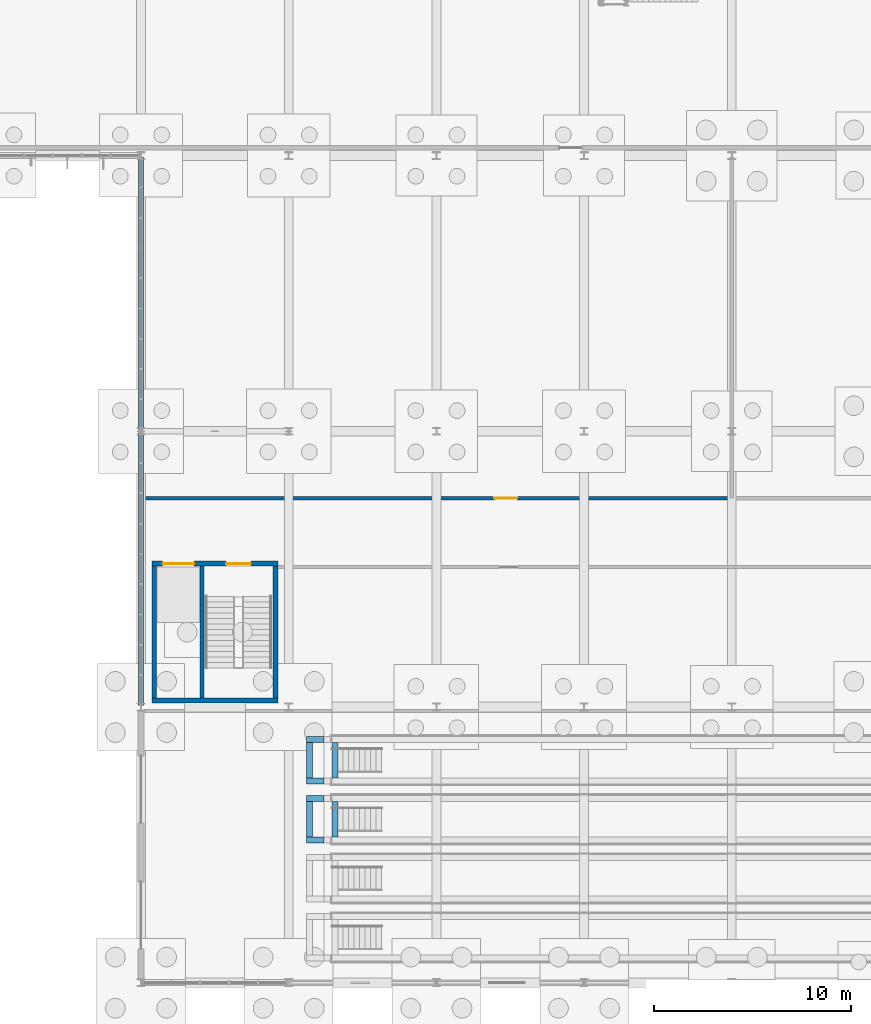
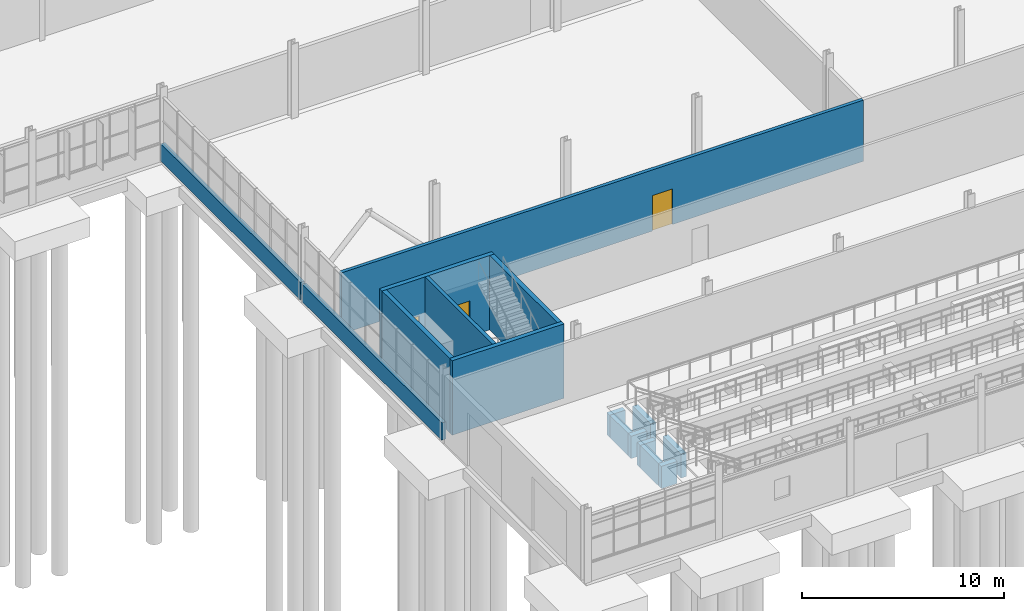
# One storey, part 109 of 136: 16 walls, 3 doors, 3 openings.
"""IFC4 building model written with IfcOpenShell, lengths in metres."""

from ifc_helpers import new_model, si_unit, direction, frame, frame_2d, origin, place, context, subcontext, project, spatial, rectangle, extrude, material, layer, layer_set, type_object, element, fill, save


model = new_model("IFC4")

# Units and contexts
model_context = context("Model", 3, precision=1e-05, world=origin(), true_north=direction((0.0, 1.0)))
body_context = subcontext(model_context, "Body", "Model", "MODEL_VIEW")
ifc_project = project(units=[si_unit("LENGTHUNIT", "METRE"), si_unit("AREAUNIT", "SQUARE_METRE"), si_unit("VOLUMEUNIT", "CUBIC_METRE"), si_unit("PLANEANGLEUNIT", "RADIAN"), si_unit("MASSUNIT", "GRAM", prefix="KILO")], contexts=[model_context])

# Site, building, storey
site_placement = place(None, origin())
site = spatial("IfcSite", under=ifc_project, at=site_placement, CompositionType="ELEMENT")
building_placement = place(site_placement, origin())
building = spatial("IfcBuilding", under=site, at=building_placement, Name="Solvenia Promenade Tram Depot", CompositionType="ELEMENT")
storey_placement = place(building_placement, origin())
storey = spatial("IfcBuildingStorey", under=building, at=storey_placement, Name="L00", CompositionType="ELEMENT", Elevation=0.0)

# Wall
ifc_material_1 = material(Name="Concrete C28/35", Category="concrete")
ifc_layer_1 = layer(ifc_material_1, 0.25, Name="Concrete C28/35", Category="concrete")
ifc_layer_set_1 = layer_set([ifc_layer_1], Name="Concrete C28/35")
wall_type_1 = type_object("IfcWallType", Name="Wall-Core-250", PredefinedType="SHEAR", material=ifc_layer_set_1)
wall_1_placement = place(storey_placement, frame((105.550048828125, 38.324951171875, 0.0), z_axis=(0.0, 0.0, 1.0), x_axis=(1.0, 0.0, 0.0)))
element("IfcWall", 1, at=wall_1_placement, inside=storey, type_object=wall_type_1, Name="Core C5 Shear Wall WC-C5-L00-S", PredefinedType="SHEAR", context=body_context, shape_type="SweptSolid", body=[
    extrude(rectangle(XDim=6.39990234375, YDim=0.25, at=frame_2d((3.199951171875, 0.0))), origin(), (0.0, 0.0, 1.0), 4.5),
])

# Wall, openings, doors
wall_2_placement = place(storey_placement, frame((105.550048828125, 45.27490234375, 0.0), z_axis=(0.0, 0.0, 1.0), x_axis=(1.0, 0.0, 0.0)))
wall_2 = element("IfcWall", 2, at=wall_2_placement, inside=storey, type_object=wall_type_1, Name="Core C5 Shear Wall WC-C5-L00-N", PredefinedType="SHEAR", context=body_context, shape_type="SweptSolid", body=[
    extrude(rectangle(XDim=6.39990234375, YDim=0.25, at=frame_2d((3.199951171875, 0.0))), origin(), (0.0, 0.0, 1.0), 4.5),
])
opening_1_placement = place(wall_2_placement, frame((0.550048828125, 0.0, 0.0)))
opening_1 = element("IfcOpeningElement", 3, at=opening_1_placement, cuts=wall_2, Name="Opening LD-05", PredefinedType="OPENING", context=body_context, shape_type="SweptSolid", body=[
    extrude(rectangle(XDim=1.60009765625, YDim=2.25, at=frame_2d((0.800048828125, 1.125))), frame((0.0, 0.135009765625, 0.0), z_axis=(0.0, -1.0, 0.0), x_axis=(1.0, 0.0, 0.0)), (0.0, 0.0, 1.0), 0.27001953125),
])
opening_2_placement = place(wall_2_placement, frame((3.77490234375, 0.0, 0.0)))
opening_2 = element("IfcOpeningElement", 4, at=opening_2_placement, cuts=wall_2, Name="Opening D-FD90", PredefinedType="OPENING", context=body_context, shape_type="SweptSolid", body=[
    extrude(rectangle(XDim=1.25, YDim=2.14990234375, at=frame_2d((0.625, 1.074951171875))), frame((0.0, 0.135009765625, 0.0), z_axis=(0.0, -1.0, 0.0), x_axis=(1.0, 0.0, 0.0)), (0.0, 0.0, 1.0), 0.27001953125),
])
ifc_material_2 = material(Name="Galvanized painted sheet steel", Category="steel")
door_type_1 = type_object("IfcDoorType", Name="Door-Lift-Goods-1600", OperationType="DOUBLE_DOOR_SLIDING", PredefinedType="DOOR", material=ifc_material_2)
door_1_placement = place(opening_1_placement, origin())
door_1 = element("IfcDoor", 5, at=door_1_placement, inside=storey, type_object=door_type_1, Name="Lift Landing Door LG-01 L00", OperationType="DOUBLE_DOOR_SLIDING", OverallHeight=2.25, OverallWidth=1.60009765625, PredefinedType="DOOR", context=body_context, shape_type="SweptSolid", body=[
    extrude(rectangle(XDim=1.60009765625, YDim=2.25, at=frame_2d((0.800048828125, 1.125))), frame((0.0, 0.02490234375, 0.0), z_axis=(0.0, -1.0, 0.0), x_axis=(1.0, 0.0, 0.0)), (0.0, 0.0, 1.0), 0.050048828125),
])
fill(opening_1, door_1)
door_type_2 = type_object("IfcDoorType", Name="Door-Stair-FD90", OperationType="NOTDEFINED", PredefinedType="DOOR", material=ifc_material_2)
door_2_placement = place(opening_2_placement, origin())
door_2 = element("IfcDoor", 6, at=door_2_placement, inside=storey, type_object=door_type_2, Name="Exit Stair Door C5 L00", OperationType="SINGLE_SWING_LEFT", OverallHeight=2.14990234375, OverallWidth=1.25, PredefinedType="DOOR", context=body_context, shape_type="SweptSolid", body=[
    extrude(rectangle(XDim=1.25, YDim=2.14990234375, at=frame_2d((0.625, 1.074951171875))), frame((0.0, 0.02490234375, 0.0), z_axis=(0.0, -1.0, 0.0), x_axis=(1.0, 0.0, 0.0)), (0.0, 0.0, 1.0), 0.050048828125),
])
fill(opening_2, door_2)

# Walls
for number, where, z_axis, x_axis, name in (
    (7, (105.675048828125, 38.449951171875, 0.0), (0.0, 0.0, 1.0), (0.0, 1.0, 0.0), "Core C5 Shear Wall WC-C5-L00-W"),
    (8, (111.824951171875, 38.449951171875, 0.0), (0.0, 0.0, 1.0), (0.0, 1.0, 0.0), "Core C5 Shear Wall WC-C5-L00-E"),
):
    element("IfcWall", number, at=place(storey_placement, frame(where, z_axis=z_axis, x_axis=x_axis)), inside=storey, type_object=wall_type_1, Name=name, PredefinedType="SHEAR", context=body_context, shape_type="SweptSolid", body=[
        extrude(rectangle(XDim=6.699951171875, YDim=0.25, at=frame_2d((3.35009765625, 0.0))), origin(), (0.0, 0.0, 1.0), 4.5),
    ])

# Wall, opening, door
ifc_material_3 = material(Name="Concrete blockwork masonry", Category="masonry")
ifc_layer_2 = layer(ifc_material_3, 0.195068359375, Name="Concrete blockwork masonry", Category="masonry")
ifc_layer_set_2 = layer_set([ifc_layer_2], Name="Concrete blockwork masonry")
wall_type_2 = type_object("IfcWallType", Name="Wall-Fire-195", PredefinedType="PARTITIONING", material=ifc_layer_set_2)
wall_3_placement = place(storey_placement, frame((105.159912109375, 48.60009765625, 0.0), z_axis=(0.0, 0.0, 1.0), x_axis=(1.0, 0.0, 0.0)))
wall_3 = element("IfcWall", 9, at=wall_3_placement, inside=storey, type_object=wall_type_2, Name="Paint and Body Workshop Partition WP-L00-014", PredefinedType="PARTITIONING", context=body_context, shape_type="SweptSolid", body=[
    extrude(rectangle(XDim=29.840087890625, YDim=0.195068359375, at=frame_2d((14.919921875, 0.0))), origin(), (0.0, 0.0, 1.0), 3.699951171875),
])
opening_3_placement = place(wall_3_placement, frame((17.7880859375, 0.0, 0.0)))
opening_3 = element("IfcOpeningElement", 10, at=opening_3_placement, cuts=wall_3, Name="Opening D-FD60", PredefinedType="OPENING", context=body_context, shape_type="SweptSolid", body=[
    extrude(rectangle(XDim=1.14990234375, YDim=2.14990234375, at=frame_2d((0.574951171875, 1.074951171875))), frame((0.0, 0.107421875, 0.0), z_axis=(0.0, -1.0, 0.0), x_axis=(1.0, 0.0, 0.0)), (0.0, 0.0, 1.0), 0.215087890625),
])
door_type_3 = type_object("IfcDoorType", Name="Door-Fire-FD60", OperationType="NOTDEFINED", PredefinedType="DOOR", material=ifc_material_2)
door_3_placement = place(opening_3_placement, origin())
door_3 = element("IfcDoor", 11, at=door_3_placement, inside=storey, type_object=door_type_3, Name="Door to Paint and Body Workshop", OperationType="SINGLE_SWING_LEFT", OverallHeight=2.14990234375, OverallWidth=1.14990234375, PredefinedType="DOOR", context=body_context, shape_type="SweptSolid", body=[
    extrude(rectangle(XDim=1.14990234375, YDim=2.14990234375, at=frame_2d((0.574951171875, 1.074951171875))), frame((0.0, 0.02490234375, 0.0), z_axis=(0.0, -1.0, 0.0), x_axis=(1.0, 0.0, 0.0)), (0.0, 0.0, 1.0), 0.050048828125),
])
fill(opening_3, door_3)

# Walls
ifc_material_4 = material(Name="Concrete C35/45", Category="concrete")
ifc_layer_3 = layer(ifc_material_4, 0.300048828125, Name="Concrete C35/45", Category="concrete")
ifc_layer_set_3 = layer_set([ifc_layer_3], Name="Concrete C35/45")
wall_type_3 = type_object("IfcWallType", Name="Wall-Pit-300", PredefinedType="USERDEFINED", material=ifc_layer_set_3)
for number, where, z_axis, x_axis, name in (
    (12, (113.39990234375, 31.25, -1.675048828125), (0.0, 0.0, 1.0), (1.0, 0.0, 0.0), "Inspection Pit Bay 3 Drain Cheek Wall S"),
    (13, (113.39990234375, 33.35009765625, -1.675048828125), (0.0, 0.0, 1.0), (1.0, 0.0, 0.0), "Inspection Pit Bay 3 Drain Cheek Wall N"),
):
    element("IfcWall", number, at=place(storey_placement, frame(where, z_axis=z_axis, x_axis=x_axis)), inside=storey, type_object=wall_type_3, Name=name, ObjectType="RETAINING WALL", PredefinedType="USERDEFINED", context=body_context, shape_type="SweptSolid", body=[
        extrude(rectangle(XDim=0.900146484375, YDim=0.300048828125, at=frame_2d((0.4501953125, 0.0))), origin(), (0.0, 0.0, 1.0), 1.344970703125),
    ])
wall_4_placement = place(storey_placement, frame((113.550048828125, 31.39990234375, -1.675048828125), z_axis=(0.0, 0.0, 1.0), x_axis=(0.0, 1.0, 0.0)))
element("IfcWall", 14, at=wall_4_placement, inside=storey, type_object=wall_type_3, Name="Inspection Pit Bay 3 Apron End Wall", ObjectType="RETAINING WALL", PredefinedType="USERDEFINED", context=body_context, shape_type="SweptSolid", body=[
    extrude(rectangle(XDim=1.800048828125, YDim=0.300048828125, at=frame_2d((0.89990234375, 0.0))), origin(), (0.0, 0.0, 1.0), 1.344970703125),
])
wall_5_placement = place(storey_placement, frame((114.85009765625, 31.39990234375, -1.675048828125), z_axis=(0.0, 0.0, 1.0), x_axis=(0.0, 1.0, 0.0)))
element("IfcWall", 15, at=wall_5_placement, inside=storey, type_object=wall_type_3, Name="Inspection Pit Bay 3 Retaining Wall W", ObjectType="RETAINING WALL", PredefinedType="USERDEFINED", context=body_context, shape_type="SweptSolid", body=[
    extrude(rectangle(XDim=1.800048828125, YDim=0.300048828125, at=frame_2d((0.89990234375, 0.0))), origin(), (0.0, 0.0, 1.0), 1.455078125),
])
for number, where, z_axis, x_axis, name in (
    (16, (113.39990234375, 34.25, -1.675048828125), (0.0, 0.0, 1.0), (1.0, 0.0, 0.0), "Inspection Pit Bay 4 Drain Cheek Wall S"),
    (17, (113.39990234375, 36.35009765625, -1.675048828125), (0.0, 0.0, 1.0), (1.0, 0.0, 0.0), "Inspection Pit Bay 4 Drain Cheek Wall N"),
):
    element("IfcWall", number, at=place(storey_placement, frame(where, z_axis=z_axis, x_axis=x_axis)), inside=storey, type_object=wall_type_3, Name=name, ObjectType="RETAINING WALL", PredefinedType="USERDEFINED", context=body_context, shape_type="SweptSolid", body=[
        extrude(rectangle(XDim=0.900146484375, YDim=0.300048828125, at=frame_2d((0.4501953125, 0.0))), origin(), (0.0, 0.0, 1.0), 1.344970703125),
    ])
wall_6_placement = place(storey_placement, frame((113.550048828125, 34.39990234375, -1.675048828125), z_axis=(0.0, 0.0, 1.0), x_axis=(0.0, 1.0, 0.0)))
element("IfcWall", 18, at=wall_6_placement, inside=storey, type_object=wall_type_3, Name="Inspection Pit Bay 4 Apron End Wall", ObjectType="RETAINING WALL", PredefinedType="USERDEFINED", context=body_context, shape_type="SweptSolid", body=[
    extrude(rectangle(XDim=1.800048828125, YDim=0.300048828125, at=frame_2d((0.89990234375, 0.0))), origin(), (0.0, 0.0, 1.0), 1.344970703125),
])
wall_7_placement = place(storey_placement, frame((114.85009765625, 34.39990234375, -1.675048828125), z_axis=(0.0, 0.0, 1.0), x_axis=(0.0, 1.0, 0.0)))
element("IfcWall", 19, at=wall_7_placement, inside=storey, type_object=wall_type_3, Name="Inspection Pit Bay 4 Retaining Wall W", ObjectType="RETAINING WALL", PredefinedType="USERDEFINED", context=body_context, shape_type="SweptSolid", body=[
    extrude(rectangle(XDim=1.800048828125, YDim=0.300048828125, at=frame_2d((0.89990234375, 0.0))), origin(), (0.0, 0.0, 1.0), 1.455078125),
])
ifc_layer_4 = layer(ifc_material_1, 0.199951171875, Name="Concrete C28/35", Category="concrete")
ifc_layer_set_4 = layer_set([ifc_layer_4], Name="Concrete C28/35")
wall_type_4 = type_object("IfcWallType", Name="Wall-Shaft-200", PredefinedType="SHEAR", material=ifc_layer_set_4)
wall_8_placement = place(storey_placement, frame((108.10009765625, 38.449951171875, 0.0), z_axis=(0.0, 0.0, 1.0), x_axis=(0.0, 1.0, 0.0)))
element("IfcWall", 20, at=wall_8_placement, inside=storey, type_object=wall_type_4, Name="Core C5 Shear Wall WC-C5-L00-DIV", PredefinedType="SHEAR", context=body_context, shape_type="SweptSolid", body=[
    extrude(rectangle(XDim=6.699951171875, YDim=0.199951171875, at=frame_2d((3.35009765625, 0.0))), origin(), (0.0, 0.0, 1.0), 4.5),
])
ifc_layer_5 = layer(ifc_material_4, 0.239990234375, Name="Concrete C35/45", Category="concrete")
ifc_layer_set_5 = layer_set([ifc_layer_5], Name="Concrete C35/45")
wall_type_5 = type_object("IfcWallType", Name="Wall-Spandrel-240", PredefinedType="SOLIDWALL", material=ifc_layer_set_5)
for number, where, z_axis, x_axis, name in (
    (21, (105.0, 38.080078125, 0.0), (0.0, 0.0, 1.0), (0.0, 1.0, 0.0), "Workshop Courtyard Sill Wall EW-L00-065"),
    (22, (105.0, 52.080078125, 0.0), (0.0, 0.0, 1.0), (0.0, 1.0, 0.0), "Workshop Courtyard Sill Wall EW-L00-066"),
):
    element("IfcWall", number, at=place(storey_placement, frame(where, z_axis=z_axis, x_axis=x_axis)), inside=storey, type_object=wall_type_5, Name=name, PredefinedType="SOLIDWALL", context=body_context, shape_type="SweptSolid", body=[
        extrude(rectangle(XDim=13.83984375, YDim=0.239990234375, at=frame_2d((6.919921875, 0.0))), origin(), (0.0, 0.0, 1.0), 1.050048828125),
    ])

save(model, "model.ifc")
